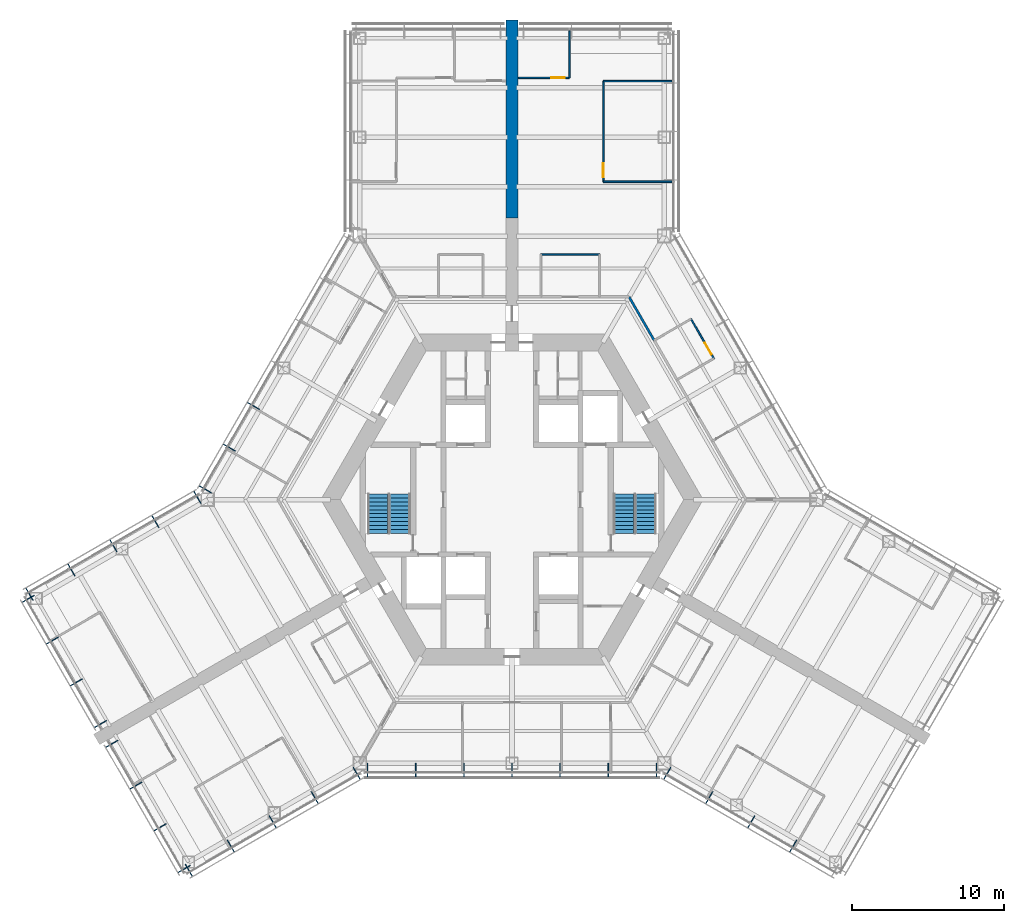
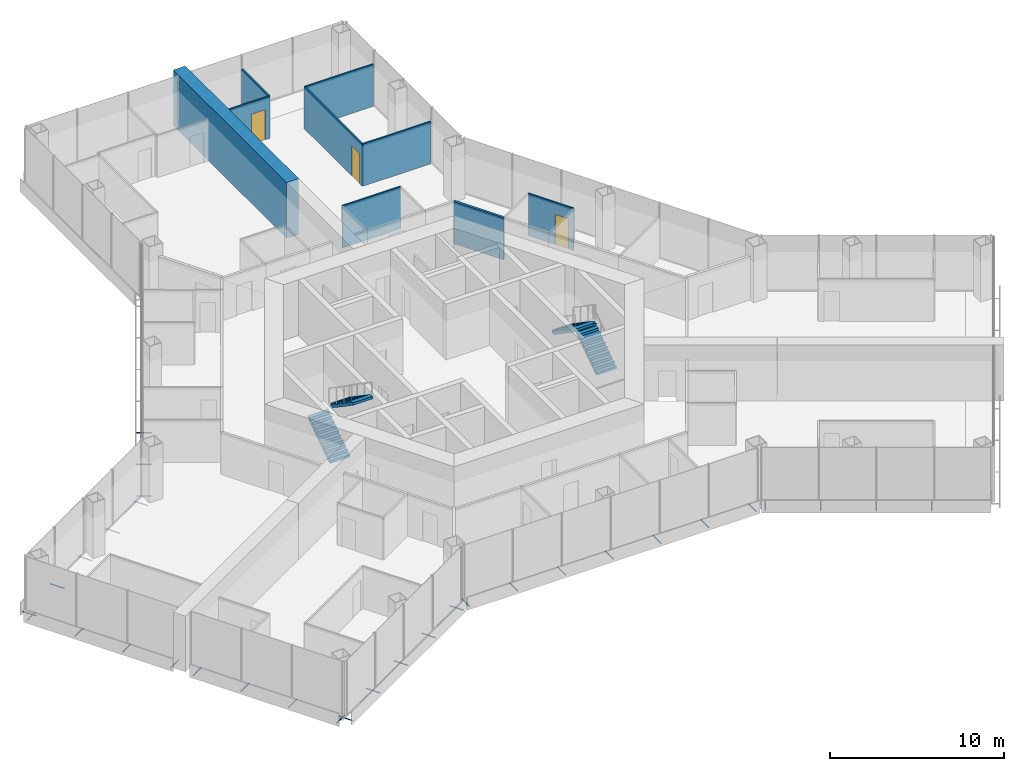
# One storey, part 16 of 19: 32 discrete accessories, 9 walls, 4 stair flights, 3 doors, 3 openings, 2 elements without a shape of their own.
"""IFC4 building model written with IfcOpenShell, lengths in metres."""

from ifc_helpers import new_model, si_unit, direction, frame, frame_2d, origin, origin_2d, place, context, subcontext, project, spatial, polyline, rectangle, hollow_circle, outline, extrude, material, layer, layer_set, material_profile, profile_set, type_object, element, fill, aggregate, save


model = new_model("IFC4")

# Units and contexts
model_context = context("Model", 3, precision=1e-05, world=origin(), true_north=direction((0.0, 1.0)))
body_context = subcontext(model_context, "Body", "Model", "MODEL_VIEW")
ifc_project = project(units=[si_unit("LENGTHUNIT", "METRE"), si_unit("AREAUNIT", "SQUARE_METRE"), si_unit("VOLUMEUNIT", "CUBIC_METRE"), si_unit("PLANEANGLEUNIT", "RADIAN"), si_unit("MASSUNIT", "GRAM", prefix="KILO")], contexts=[model_context])

# Site, building, storey
site_placement = place(None, origin())
site = spatial("IfcSite", under=ifc_project, at=site_placement, CompositionType="ELEMENT")
building_placement = place(site_placement, origin())
building = spatial("IfcBuilding", under=site, at=building_placement, Name="Kasaneha Research Tower", CompositionType="ELEMENT")
storey_placement = place(building_placement, frame((0.0, 0.0, 88.5)))
storey = spatial("IfcBuildingStorey", under=building, at=storey_placement, Name="L22", CompositionType="ELEMENT", Elevation=88.5)

# Wall
ifc_material_1 = material(Name="Gypsum board on steel studs, one layer each side", Category="steel")
ifc_layer_1 = layer(ifc_material_1, 0.10009765625)
ifc_layer_set_1 = layer_set([ifc_layer_1], Name="Office partition 100")
wall_type_1 = type_object("IfcWallType", Name="Office partition 100", PredefinedType="PARTITIONING", material=ifc_layer_set_1)
wall_1_placement = place(storey_placement, frame((1.89990234375, 16.125, 0.0), z_axis=(0.0, 0.0, 1.0), x_axis=(1.0, 0.0, 0.0)))
element("IfcWall", 1, at=wall_1_placement, inside=storey, type_object=wall_type_1, Name="Office partition FAE08 L22", PredefinedType="PARTITIONING", context=body_context, shape_type="SweptSolid", body=[
    extrude(rectangle(XDim=3.857177734375, YDim=0.10009765625, at=frame_2d((1.9287109375, 0.0))), origin(), (0.0, 0.0, 1.0), 2.949951171875),
])

# Wall, opening, door
wall_2_placement = place(storey_placement, frame((11.7646484375, 11.873046875, 0.0), z_axis=(0.0, 0.0, 1.0), x_axis=(0.499990139034, -0.866031096941, 0.0)))
wall_2 = element("IfcWall", 2, at=wall_2_placement, inside=storey, type_object=wall_type_1, Name="Office partition FAE12 L22", PredefinedType="PARTITIONING", context=body_context, shape_type="SweptSolid", body=[
    extrude(rectangle(XDim=3.0, YDim=0.10009765625, at=frame_2d((1.5, 0.0))), origin(), (0.0, 0.0, 1.0), 2.949951171875),
])
opening_1_placement = place(wall_2_placement, frame((1.800048828125, 0.0, 0.0)))
opening_1 = element("IfcOpeningElement", 3, at=opening_1_placement, cuts=wall_2, Name="Opening L22-D30", PredefinedType="OPENING", context=body_context, shape_type="SweptSolid", body=[
    extrude(rectangle(XDim=0.89990234375, YDim=2.10009765625, at=frame_2d((0.449951171875, 1.050048828125))), frame((0.0, 0.06005859375, 0.0), z_axis=(0.0, -1.0, 0.0), x_axis=(1.0, 0.0, 0.0)), (0.0, 0.0, 1.0), 0.1201171875),
])
ifc_material_2 = material(Name="Timber veneer", Category="wood")
door_type = type_object("IfcDoorType", Name="Office door 900x2100", OperationType="SINGLE_SWING_LEFT", PredefinedType="DOOR", material=ifc_material_2)
door_1_placement = place(opening_1_placement, origin())
door_1 = element("IfcDoor", 4, at=door_1_placement, inside=storey, type_object=door_type, Name="Pantry door L22-D30", OperationType="SINGLE_SWING_RIGHT", OverallHeight=2.10009765625, OverallWidth=0.89990234375, PredefinedType="DOOR", context=body_context, shape_type="SweptSolid", body=[
    extrude(rectangle(XDim=0.89990234375, YDim=2.10009765625, at=frame_2d((0.449951171875, 1.050048828125))), frame((0.0, 0.02490234375, 0.0), z_axis=(0.0, -1.0, 0.0), x_axis=(1.0, 0.0, 0.0)), (0.0, 0.0, 1.0), 0.050048828125),
])
fill(opening_1, door_1)

wall_3_placement = place(storey_placement, frame((6.0, 20.89111328125, 0.0), z_axis=(0.0, 0.0, 1.0), x_axis=(0.0, 1.0, 0.0)))
wall_3 = element("IfcWall", 5, at=wall_3_placement, inside=storey, type_object=wall_type_1, Name="Office partition FAE15 L22", PredefinedType="PARTITIONING", context=body_context, shape_type="SweptSolid", body=[
    extrude(rectangle(XDim=6.61962890625, YDim=0.10009765625, at=frame_2d((3.309814453125, 0.0))), origin(), (0.0, 0.0, 1.0), 2.949951171875),
])
opening_2_placement = place(wall_3_placement, frame((0.300048828125, 0.0, 0.0)))
opening_2 = element("IfcOpeningElement", 6, at=opening_2_placement, cuts=wall_3, Name="Opening L22-D32", PredefinedType="OPENING", context=body_context, shape_type="SweptSolid", body=[
    extrude(rectangle(XDim=0.89990234375, YDim=2.10009765625, at=frame_2d((0.449951171875, 1.050048828125))), frame((0.0, 0.06005859375, 0.0), z_axis=(0.0, -1.0, 0.0), x_axis=(1.0, 0.0, 0.0)), (0.0, 0.0, 1.0), 0.1201171875),
])
door_2_placement = place(opening_2_placement, origin())
door_2 = element("IfcDoor", 7, at=door_2_placement, inside=storey, type_object=door_type, Name="Meeting room door L22-D32", OperationType="SINGLE_SWING_LEFT", OverallHeight=2.10009765625, OverallWidth=0.89990234375, PredefinedType="DOOR", context=body_context, shape_type="SweptSolid", body=[
    extrude(rectangle(XDim=0.89990234375, YDim=2.10009765625, at=frame_2d((0.449951171875, 1.050048828125))), frame((0.0, 0.02490234375, 0.0), z_axis=(0.0, -1.0, 0.0), x_axis=(1.0, 0.0, 0.0)), (0.0, 0.0, 1.0), 0.050048828125),
])
fill(opening_2, door_2)

# Walls
for number, where, z_axis, x_axis, name in (
    (8, (6.0, 27.5107421875, 0.0), (0.0, 0.0, 1.0), (1.0, 0.0, 0.0), "Office partition FAE16 L22"),
    (9, (10.5, 20.89111328125, 0.0), (0.0, 0.0, 1.0), (-1.0, 0.0, 0.0), "Office partition FAE17 L22"),
):
    element("IfcWall", number, at=place(storey_placement, frame(where, z_axis=z_axis, x_axis=x_axis)), inside=storey, type_object=wall_type_1, Name=name, PredefinedType="PARTITIONING", context=body_context, shape_type="SweptSolid", body=[
        extrude(rectangle(XDim=4.5, YDim=0.10009765625, at=frame_2d((2.25, 0.0))), origin(), (0.0, 0.0, 1.0), 2.949951171875),
    ])

# Wall, opening, door
wall_4_placement = place(storey_placement, frame((3.7666015625, 27.720458984375, 0.0), z_axis=(0.0, 0.0, 1.0), x_axis=(-1.0, 0.0, 0.0)))
wall_4 = element("IfcWall", 10, at=wall_4_placement, inside=storey, type_object=wall_type_1, Name="Office partition FAE18 L22", PredefinedType="PARTITIONING", context=body_context, shape_type="SweptSolid", body=[
    extrude(rectangle(XDim=3.3466796875, YDim=0.10009765625, at=frame_2d((1.67333984375, 0.0))), origin(), (0.0, 0.0, 1.0), 2.949951171875),
])
opening_3_placement = place(wall_4_placement, frame((0.300048828125, 0.0, 0.0)))
opening_3 = element("IfcOpeningElement", 11, at=opening_3_placement, cuts=wall_4, Name="Opening L22-D33", PredefinedType="OPENING", context=body_context, shape_type="SweptSolid", body=[
    extrude(rectangle(XDim=0.89990234375, YDim=2.10009765625, at=frame_2d((0.449951171875, 1.050048828125))), frame((0.0, 0.06005859375, 0.0), z_axis=(0.0, -1.0, 0.0), x_axis=(1.0, 0.0, 0.0)), (0.0, 0.0, 1.0), 0.1201171875),
])
door_3_placement = place(opening_3_placement, origin())
door_3 = element("IfcDoor", 12, at=door_3_placement, inside=storey, type_object=door_type, Name="Workroom door L22-D33", OperationType="SINGLE_SWING_LEFT", OverallHeight=2.10009765625, OverallWidth=0.89990234375, PredefinedType="DOOR", context=body_context, shape_type="SweptSolid", body=[
    extrude(rectangle(XDim=0.89990234375, YDim=2.10009765625, at=frame_2d((0.449951171875, 1.050048828125))), frame((0.0, 0.02490234375, 0.0), z_axis=(0.0, -1.0, 0.0), x_axis=(1.0, 0.0, 0.0)), (0.0, 0.0, 1.0), 0.050048828125),
])
fill(opening_3, door_3)

# Walls
wall_5_placement = place(storey_placement, frame((3.7666015625, 30.800537109375, 0.0), z_axis=(0.0, 0.0, 1.0), x_axis=(0.0, -1.0, 0.0)))
element("IfcWall", 13, at=wall_5_placement, inside=storey, type_object=wall_type_1, Name="Office partition FAE19 L22", PredefinedType="PARTITIONING", context=body_context, shape_type="SweptSolid", body=[
    extrude(rectangle(XDim=3.080078125, YDim=0.10009765625, at=frame_2d((1.5400390625, 0.0))), origin(), (0.0, 0.0, 1.0), 2.949951171875),
])
ifc_material_3 = material(Name="Concrete Fc80", Category="concrete")
ifc_layer_2 = layer(ifc_material_3, 0.800048828125)
ifc_layer_set_2 = layer_set([ifc_layer_2], Name="Spine wall 800 Fc80")
wall_type_2 = type_object("IfcWallType", Name="Spine wall 800 Fc80", PredefinedType="SHEAR", material=ifc_layer_set_2)
wall_6_placement = place(storey_placement, frame((0.0, 18.5205078125, 0.0), z_axis=(0.0, 0.0, 1.0), x_axis=(0.0, 1.0, 0.0)))
element("IfcWall", 14, at=wall_6_placement, inside=storey, type_object=wall_type_2, Name="Spine wall A wing L22", PredefinedType="SHEAR", context=body_context, shape_type="SweptSolid", body=[
    extrude(rectangle(XDim=13.0, YDim=0.800048828125, at=frame_2d((6.5, 0.0))), origin(), (0.0, 0.0, 1.0), 3.89990234375),
])
ifc_material_4 = material(Name="Gypsum board on steel studs, two layers each side", Category="steel")
ifc_layer_3 = layer(ifc_material_4, 0.14990234375)
ifc_layer_set_3 = layer_set([ifc_layer_3], Name="Suite partition 150")
wall_type_3 = type_object("IfcWallType", Name="Suite partition 150", PredefinedType="PARTITIONING", material=ifc_layer_set_3)
wall_7_placement = place(storey_placement, frame((7.693115234375, 13.324951171875, 0.0), z_axis=(0.0, 0.0, 1.0), x_axis=(0.500008692254, -0.866020385251, 0.0)))
element("IfcWall", 15, at=wall_7_placement, inside=storey, type_object=wall_type_3, Name="Suite partition FAE06 L22", PredefinedType="PARTITIONING", context=body_context, shape_type="SweptSolid", body=[
    extrude(rectangle(XDim=3.2978515625, YDim=0.14990234375, at=frame_2d((1.64892578125, 0.0))), origin(), (0.0, 0.0, 1.0), 2.949951171875),
])

# Stair, stair flights
ifc_material_5 = material(Name="Concrete Fc24", Category="concrete")
stair_type = type_object("IfcStairType", Name="Half-turn stair 22 risers", PredefinedType="HALF_TURN_STAIR", material=ifc_material_5)
stair_1_placement = place(storey_placement, origin())
stair_1 = element("IfcStair", 16, at=stair_1_placement, inside=storey, type_object=stair_type, Name="Stair 1 L22", PredefinedType="HALF_TURN_STAIR")
ifc_material_6 = material(Name="Concrete Fc24", Category="concrete")
stair_flight_type = type_object("IfcStairFlightType", Name="Stair flight 11 risers 177.3", PredefinedType="STRAIGHT", material=ifc_material_6)
stair_flight_1_placement = place(storey_placement, frame((8.824951171875, -2.22509765625, 0.0), z_axis=(0.0, 0.0, 1.0), x_axis=(0.0, 1.0, 0.0)))
stair_flight_1 = element("IfcStairFlight", 17, at=stair_flight_1_placement, type_object=stair_flight_type, Name="ST1-22R flight 1", NumberOfRisers=11, NumberOfTreads=10, PredefinedType="STRAIGHT", RiserHeight=0.177272727, TreadLength=0.26, context=body_context, shape_type="SweptSolid", body=[
    extrude(outline(polyline([(0.0, 0.0), (0.0, 0.17724609375), (0.260009765625, 0.17724609375), (0.260009765625, 0.3544921875), (0.52001953125, 0.3544921875), (0.52001953125, 0.53173828125), (0.780029296875, 0.53173828125), (0.780029296875, 0.708984375), (1.0400390625, 0.708984375), (1.0400390625, 0.886474609375), (1.300048828125, 0.886474609375), (1.300048828125, 1.063720703125), (1.56005859375, 1.063720703125), (1.56005859375, 1.240966796875), (1.820068359375, 1.240966796875), (1.820068359375, 1.418212890625), (2.080078125, 1.418212890625), (2.080078125, 1.595458984375), (2.340087890625, 1.595458984375), (2.340087890625, 1.772705078125), (2.60009765625, 1.772705078125), (2.60009765625, 1.949951171875), (2.60009765625, 1.59130859375), (0.26611328125, 0.0), (0.0, 0.0)])), frame((0.0, 0.64990234375, 0.0), z_axis=(0.0, -1.0, 0.0), x_axis=(1.0, 0.0, 0.0)), (0.0, 0.0, 1.0), 1.300048828125),
])
stair_flight_2_placement = place(storey_placement, frame((7.324951171875, 0.375, 1.949951171875), z_axis=(0.0, 0.0, 1.0), x_axis=(0.0, -1.0, 0.0)))
stair_flight_2 = element("IfcStairFlight", 18, at=stair_flight_2_placement, type_object=stair_flight_type, Name="ST1-22R flight 2", NumberOfRisers=11, NumberOfTreads=10, PredefinedType="STRAIGHT", RiserHeight=0.177272727, TreadLength=0.26, context=body_context, shape_type="SweptSolid", body=[
    extrude(outline(polyline([(0.0, 0.0), (0.0, 0.17724609375), (0.260009765625, 0.17724609375), (0.260009765625, 0.3544921875), (0.52001953125, 0.3544921875), (0.52001953125, 0.53173828125), (0.780029296875, 0.53173828125), (0.780029296875, 0.708984375), (1.0400390625, 0.708984375), (1.0400390625, 0.886474609375), (1.300048828125, 0.886474609375), (1.300048828125, 1.063720703125), (1.56005859375, 1.063720703125), (1.56005859375, 1.240966796875), (1.820068359375, 1.240966796875), (1.820068359375, 1.418212890625), (2.080078125, 1.418212890625), (2.080078125, 1.595458984375), (2.340087890625, 1.595458984375), (2.340087890625, 1.772705078125), (2.60009765625, 1.772705078125), (2.60009765625, 1.949951171875), (2.60009765625, 1.59130859375), (0.26611328125, 0.0), (0.0, 0.0)])), frame((0.0, 0.64990234375, 0.0), z_axis=(0.0, -1.0, 0.0), x_axis=(1.0, 0.0, 0.0)), (0.0, 0.0, 1.0), 1.300048828125),
])
aggregate(stair_1, [stair_flight_1, stair_flight_2])

stair_2_placement = place(storey_placement, origin())
stair_2 = element("IfcStair", 19, at=stair_2_placement, inside=storey, type_object=stair_type, Name="Stair 2 L22", PredefinedType="HALF_TURN_STAIR")
stair_flight_3_placement = place(storey_placement, frame((-8.824951171875, -2.22509765625, 0.0), z_axis=(0.0, 0.0, 1.0), x_axis=(0.0, 1.0, 0.0)))
stair_flight_3 = element("IfcStairFlight", 20, at=stair_flight_3_placement, type_object=stair_flight_type, Name="ST2-22R flight 1", NumberOfRisers=11, NumberOfTreads=10, PredefinedType="STRAIGHT", RiserHeight=0.177272727, TreadLength=0.26, context=body_context, shape_type="SweptSolid", body=[
    extrude(outline(polyline([(0.0, 0.0), (0.0, 0.17724609375), (0.260009765625, 0.17724609375), (0.260009765625, 0.3544921875), (0.52001953125, 0.3544921875), (0.52001953125, 0.53173828125), (0.780029296875, 0.53173828125), (0.780029296875, 0.708984375), (1.0400390625, 0.708984375), (1.0400390625, 0.886474609375), (1.300048828125, 0.886474609375), (1.300048828125, 1.063720703125), (1.56005859375, 1.063720703125), (1.56005859375, 1.240966796875), (1.820068359375, 1.240966796875), (1.820068359375, 1.418212890625), (2.080078125, 1.418212890625), (2.080078125, 1.595458984375), (2.340087890625, 1.595458984375), (2.340087890625, 1.772705078125), (2.60009765625, 1.772705078125), (2.60009765625, 1.949951171875), (2.60009765625, 1.59130859375), (0.26611328125, 0.0), (0.0, 0.0)])), frame((0.0, 0.64990234375, 0.0), z_axis=(0.0, -1.0, 0.0), x_axis=(1.0, 0.0, 0.0)), (0.0, 0.0, 1.0), 1.300048828125),
])
stair_flight_4_placement = place(storey_placement, frame((-7.324951171875, 0.375, 1.949951171875), z_axis=(0.0, 0.0, 1.0), x_axis=(0.0, -1.0, 0.0)))
stair_flight_4 = element("IfcStairFlight", 21, at=stair_flight_4_placement, type_object=stair_flight_type, Name="ST2-22R flight 2", NumberOfRisers=11, NumberOfTreads=10, PredefinedType="STRAIGHT", RiserHeight=0.177272727, TreadLength=0.26, context=body_context, shape_type="SweptSolid", body=[
    extrude(outline(polyline([(0.0, 0.0), (0.0, 0.17724609375), (0.260009765625, 0.17724609375), (0.260009765625, 0.3544921875), (0.52001953125, 0.3544921875), (0.52001953125, 0.53173828125), (0.780029296875, 0.53173828125), (0.780029296875, 0.708984375), (1.0400390625, 0.708984375), (1.0400390625, 0.886474609375), (1.300048828125, 0.886474609375), (1.300048828125, 1.063720703125), (1.56005859375, 1.063720703125), (1.56005859375, 1.240966796875), (1.820068359375, 1.240966796875), (1.820068359375, 1.418212890625), (2.080078125, 1.418212890625), (2.080078125, 1.595458984375), (2.340087890625, 1.595458984375), (2.340087890625, 1.772705078125), (2.60009765625, 1.772705078125), (2.60009765625, 1.949951171875), (2.60009765625, 1.59130859375), (0.26611328125, 0.0), (0.0, 0.0)])), frame((0.0, 0.64990234375, 0.0), z_axis=(0.0, -1.0, 0.0), x_axis=(1.0, 0.0, 0.0)), (0.0, 0.0, 1.0), 1.300048828125),
])
aggregate(stair_2, [stair_flight_3, stair_flight_4])

# Discrete accessories
ifc_material_7 = material(Name="Steel STK400", Category="steel")
ifc_material_profile = material_profile(ifc_material_7, hollow_circle(Radius=0.0380859375, WallThickness=0.00390625, at=origin_2d()), Name="CHS-76.3x4.0")
ifc_profile_set = profile_set([ifc_material_profile], Name="Steel STK400")
discrete_accessory_type = type_object("IfcDiscreteAccessoryType", Name="Screen bracket CHS-76.3x4.0", PredefinedType="BRACKET", material=ifc_profile_set)
discrete_accessory_1_placement = place(storey_placement, frame((-21.474853515625, -23.945556640625, -0.300048828125), z_axis=(0.500021113727, -0.866013213425, 0.0), x_axis=(0.866013213425, 0.500021113727, 0.0)))
element("IfcDiscreteAccessory", 22, at=discrete_accessory_1_placement, inside=storey, type_object=discrete_accessory_type, Name="Screen bracket 1", PredefinedType="BRACKET", context=body_context, shape_type="SweptSolid", body=[
    extrude(hollow_circle(Radius=0.0380859375, WallThickness=0.00390625, at=origin_2d()), origin(), (0.0, 0.0, 1.0), 0.919921875),
])
discrete_accessory_2_placement = place(storey_placement, frame((-18.716796875, -22.35302734375, -0.300048828125), z_axis=(0.500105201737, -0.865964657013, 0.0), x_axis=(0.865964657013, 0.500105201737, 0.0)))
element("IfcDiscreteAccessory", 23, at=discrete_accessory_2_placement, inside=storey, type_object=discrete_accessory_type, Name="Screen bracket 2", PredefinedType="BRACKET", context=body_context, shape_type="SweptSolid", body=[
    extrude(hollow_circle(Radius=0.0380859375, WallThickness=0.00390625, at=origin_2d()), origin(), (0.0, 0.0, 1.0), 0.920166015625),
])
discrete_accessory_3_placement = place(storey_placement, frame((-15.95849609375, -20.7607421875, -0.300048828125), z_axis=(0.500021113727, -0.866013213425, 0.0), x_axis=(0.866013213425, 0.500021113727, 0.0)))
element("IfcDiscreteAccessory", 24, at=discrete_accessory_3_placement, inside=storey, type_object=discrete_accessory_type, Name="Screen bracket 3", PredefinedType="BRACKET", context=body_context, shape_type="SweptSolid", body=[
    extrude(hollow_circle(Radius=0.0380859375, WallThickness=0.00390625, at=origin_2d()), origin(), (0.0, 0.0, 1.0), 0.919921875),
])
discrete_accessory_4_placement = place(storey_placement, frame((-13.200439453125, -19.168212890625, -0.300048828125), z_axis=(0.499906209203, -0.866079547155, 0.0), x_axis=(0.866079547155, 0.499906209203, 0.0)))
element("IfcDiscreteAccessory", 25, at=discrete_accessory_4_placement, inside=storey, type_object=discrete_accessory_type, Name="Screen bracket 4", PredefinedType="BRACKET", context=body_context, shape_type="SweptSolid", body=[
    extrude(hollow_circle(Radius=0.0380859375, WallThickness=0.00390625, at=origin_2d()), origin(), (0.0, 0.0, 1.0), 0.920166015625),
])
for number, where, z_axis, x_axis, name in (
    (26, (-10.4423828125, -17.575927734375, -0.300048828125), (0.500021113727, -0.866013213425, 0.0), (0.866013213425, 0.500021113727, 0.0), "Screen bracket 5"),
    (27, (-9.4892578125, -17.320556640625, -0.300048828125), (0.0, -1.0, 0.0), (1.0, 0.0, 0.0), "Screen bracket 1"),
    (28, (-6.326171875, -17.320556640625, -0.300048828125), (0.0, -1.0, 0.0), (1.0, 0.0, 0.0), "Screen bracket 2"),
    (29, (-3.1630859375, -17.320556640625, -0.300048828125), (0.0, -1.0, 0.0), (1.0, 0.0, 0.0), "Screen bracket 3"),
    (30, (0.0, -17.320556640625, -0.300048828125), (0.0, -1.0, 0.0), (1.0, 0.0, 0.0), "Screen bracket 4"),
    (31, (3.1630859375, -17.320556640625, -0.300048828125), (0.0, -1.0, 0.0), (1.0, 0.0, 0.0), "Screen bracket 5"),
    (32, (6.326171875, -17.320556640625, -0.300048828125), (0.0, -1.0, 0.0), (1.0, 0.0, 0.0), "Screen bracket 6"),
    (33, (9.4892578125, -17.320556640625, -0.300048828125), (0.0, -1.0, 0.0), (1.0, 0.0, 0.0), "Screen bracket 7"),
    (34, (10.4423828125, -17.575927734375, -0.300048828125), (-0.500021113727, -0.866013213425, 0.0), (0.866013213425, -0.500021113727, 0.0), "Screen bracket 1"),
):
    element("IfcDiscreteAccessory", number, at=place(storey_placement, frame(where, z_axis=z_axis, x_axis=x_axis)), inside=storey, type_object=discrete_accessory_type, Name=name, PredefinedType="BRACKET", context=body_context, shape_type="SweptSolid", body=[
        extrude(hollow_circle(Radius=0.0380859375, WallThickness=0.00390625, at=origin_2d()), origin(), (0.0, 0.0, 1.0), 0.919921875),
    ])
discrete_accessory_5_placement = place(storey_placement, frame((13.200439453125, -19.168212890625, -0.300048828125), z_axis=(-0.499906209203, -0.866079547155, 0.0), x_axis=(0.866079547155, -0.499906209203, 0.0)))
element("IfcDiscreteAccessory", 35, at=discrete_accessory_5_placement, inside=storey, type_object=discrete_accessory_type, Name="Screen bracket 2", PredefinedType="BRACKET", context=body_context, shape_type="SweptSolid", body=[
    extrude(hollow_circle(Radius=0.0380859375, WallThickness=0.00390625, at=origin_2d()), origin(), (0.0, 0.0, 1.0), 0.920166015625),
])
discrete_accessory_6_placement = place(storey_placement, frame((15.95849609375, -20.7607421875, -0.300048828125), z_axis=(-0.500021113727, -0.866013213425, 0.0), x_axis=(0.866013213425, -0.500021113727, 0.0)))
element("IfcDiscreteAccessory", 36, at=discrete_accessory_6_placement, inside=storey, type_object=discrete_accessory_type, Name="Screen bracket 3", PredefinedType="BRACKET", context=body_context, shape_type="SweptSolid", body=[
    extrude(hollow_circle(Radius=0.0380859375, WallThickness=0.00390625, at=origin_2d()), origin(), (0.0, 0.0, 1.0), 0.919921875),
])
discrete_accessory_7_placement = place(storey_placement, frame((18.716796875, -22.35302734375, -0.300048828125), z_axis=(-0.500105201737, -0.865964657013, 0.0), x_axis=(0.865964657013, -0.500105201737, 0.0)))
element("IfcDiscreteAccessory", 37, at=discrete_accessory_7_placement, inside=storey, type_object=discrete_accessory_type, Name="Screen bracket 4", PredefinedType="BRACKET", context=body_context, shape_type="SweptSolid", body=[
    extrude(hollow_circle(Radius=0.0380859375, WallThickness=0.00390625, at=origin_2d()), origin(), (0.0, 0.0, 1.0), 0.920166015625),
])
for number, where, z_axis, x_axis, name in (
    (38, (-16.58154296875, 5.9208984375, -0.300048828125), (-0.866013213425, 0.500021113727, 0.0), (-0.500021113727, -0.866013213425, 0.0), "Screen bracket 5"),
    (39, (-18.1630859375, 3.181640625, -0.300048828125), (-0.866013213425, 0.500021113727, 0.0), (-0.500021113727, -0.866013213425, 0.0), "Screen bracket 6"),
    (40, (-19.74462890625, 0.4423828125, -0.300048828125), (-0.866013213425, 0.500021113727, 0.0), (-0.500021113727, -0.866013213425, 0.0), "Screen bracket 7"),
    (41, (-20.4423828125, -0.25537109375, -0.300048828125), (-0.500021113727, 0.866013213425, 0.0), (-0.866013213425, -0.500021113727, 0.0), "Screen bracket 1"),
):
    element("IfcDiscreteAccessory", number, at=place(storey_placement, frame(where, z_axis=z_axis, x_axis=x_axis)), inside=storey, type_object=discrete_accessory_type, Name=name, PredefinedType="BRACKET", context=body_context, shape_type="SweptSolid", body=[
        extrude(hollow_circle(Radius=0.0380859375, WallThickness=0.00390625, at=origin_2d()), origin(), (0.0, 0.0, 1.0), 0.919921875),
    ])
discrete_accessory_8_placement = place(storey_placement, frame((-23.200439453125, -1.847900390625, -0.300048828125), z_axis=(-0.499906209203, 0.866079547155, 0.0), x_axis=(-0.866079547155, -0.499906209203, 0.0)))
element("IfcDiscreteAccessory", 42, at=discrete_accessory_8_placement, inside=storey, type_object=discrete_accessory_type, Name="Screen bracket 2", PredefinedType="BRACKET", context=body_context, shape_type="SweptSolid", body=[
    extrude(hollow_circle(Radius=0.0380859375, WallThickness=0.00390625, at=origin_2d()), origin(), (0.0, 0.0, 1.0), 0.920166015625),
])
discrete_accessory_9_placement = place(storey_placement, frame((-25.95849609375, -3.440185546875, -0.300048828125), z_axis=(-0.500220121494, 0.865898279276, 0.0), x_axis=(-0.865898279276, -0.500220121494, 0.0)))
element("IfcDiscreteAccessory", 43, at=discrete_accessory_9_placement, inside=storey, type_object=discrete_accessory_type, Name="Screen bracket 3", PredefinedType="BRACKET", context=body_context, shape_type="SweptSolid", body=[
    extrude(hollow_circle(Radius=0.0380859375, WallThickness=0.00390625, at=origin_2d()), origin(), (0.0, 0.0, 1.0), 0.919921875),
])
discrete_accessory_10_placement = place(storey_placement, frame((-28.716796875, -5.03271484375, -0.300048828125), z_axis=(-0.499906209203, 0.866079547155, 0.0), x_axis=(-0.866079547155, -0.499906209203, 0.0)))
element("IfcDiscreteAccessory", 44, at=discrete_accessory_10_placement, inside=storey, type_object=discrete_accessory_type, Name="Screen bracket 4", PredefinedType="BRACKET", context=body_context, shape_type="SweptSolid", body=[
    extrude(hollow_circle(Radius=0.0380859375, WallThickness=0.00390625, at=origin_2d()), origin(), (0.0, 0.0, 1.0), 0.920166015625),
])
discrete_accessory_11_placement = place(storey_placement, frame((-31.474853515625, -6.625, -0.300048828125), z_axis=(-0.500021113727, 0.866013213425, 0.0), x_axis=(-0.866013213425, -0.500021113727, 0.0)))
element("IfcDiscreteAccessory", 45, at=discrete_accessory_11_placement, inside=storey, type_object=discrete_accessory_type, Name="Screen bracket 5", PredefinedType="BRACKET", context=body_context, shape_type="SweptSolid", body=[
    extrude(hollow_circle(Radius=0.0380859375, WallThickness=0.00390625, at=origin_2d()), origin(), (0.0, 0.0, 1.0), 0.919921875),
])
discrete_accessory_12_placement = place(storey_placement, frame((-31.38330078125, -6.283447265625, -0.300048828125), z_axis=(-0.866079547155, -0.499906209203, 0.0), x_axis=(0.499906209203, -0.866079547155, 0.0)))
element("IfcDiscreteAccessory", 46, at=discrete_accessory_12_placement, inside=storey, type_object=discrete_accessory_type, Name="Screen bracket 1", PredefinedType="BRACKET", context=body_context, shape_type="SweptSolid", body=[
    extrude(hollow_circle(Radius=0.0380859375, WallThickness=0.00390625, at=origin_2d()), origin(), (0.0, 0.0, 1.0), 0.920166015625),
])
discrete_accessory_13_placement = place(storey_placement, frame((-29.800048828125, -9.02587890625, -0.300048828125), z_axis=(-0.866013213425, -0.500021113727, 0.0), x_axis=(0.500021113727, -0.866013213425, 0.0)))
element("IfcDiscreteAccessory", 47, at=discrete_accessory_13_placement, inside=storey, type_object=discrete_accessory_type, Name="Screen bracket 2", PredefinedType="BRACKET", context=body_context, shape_type="SweptSolid", body=[
    extrude(hollow_circle(Radius=0.0380859375, WallThickness=0.00390625, at=origin_2d()), origin(), (0.0, 0.0, 1.0), 0.919921875),
])
for number, where, z_axis, x_axis, name in (
    (48, (-28.216552734375, -11.768310546875, -0.300048828125), (-0.866079547155, -0.499906209203, 0.0), (0.499906209203, -0.866079547155, 0.0), "Screen bracket 3"),
    (49, (-26.63330078125, -14.5107421875, -0.300048828125), (-0.866079547155, -0.499906209203, 0.0), (0.499906209203, -0.866079547155, 0.0), "Screen bracket 4"),
    (50, (-25.88330078125, -15.809814453125, -0.300048828125), (-0.866079547155, -0.499906209203, 0.0), (0.499906209203, -0.866079547155, 0.0), "Screen bracket 1"),
):
    element("IfcDiscreteAccessory", number, at=place(storey_placement, frame(where, z_axis=z_axis, x_axis=x_axis)), inside=storey, type_object=discrete_accessory_type, Name=name, PredefinedType="BRACKET", context=body_context, shape_type="SweptSolid", body=[
        extrude(hollow_circle(Radius=0.0380859375, WallThickness=0.00390625, at=origin_2d()), origin(), (0.0, 0.0, 1.0), 0.920166015625),
    ])
discrete_accessory_14_placement = place(storey_placement, frame((-24.300048828125, -18.55224609375, -0.300048828125), z_axis=(-0.866013213425, -0.500021113727, 0.0), x_axis=(0.500021113727, -0.866013213425, 0.0)))
element("IfcDiscreteAccessory", 51, at=discrete_accessory_14_placement, inside=storey, type_object=discrete_accessory_type, Name="Screen bracket 2", PredefinedType="BRACKET", context=body_context, shape_type="SweptSolid", body=[
    extrude(hollow_circle(Radius=0.0380859375, WallThickness=0.00390625, at=origin_2d()), origin(), (0.0, 0.0, 1.0), 0.919921875),
])
for number, where, z_axis, x_axis, name in (
    (52, (-22.716552734375, -21.294677734375, -0.300048828125), (-0.866079547155, -0.499906209203, 0.0), (0.499906209203, -0.866079547155, 0.0), "Screen bracket 3"),
    (53, (-21.13330078125, -24.037109375, -0.300048828125), (-0.866079547155, -0.499906209203, 0.0), (0.499906209203, -0.866079547155, 0.0), "Screen bracket 4"),
):
    element("IfcDiscreteAccessory", number, at=place(storey_placement, frame(where, z_axis=z_axis, x_axis=x_axis)), inside=storey, type_object=discrete_accessory_type, Name=name, PredefinedType="BRACKET", context=body_context, shape_type="SweptSolid", body=[
        extrude(hollow_circle(Radius=0.0380859375, WallThickness=0.00390625, at=origin_2d()), origin(), (0.0, 0.0, 1.0), 0.920166015625),
    ])

save(model, "model.ifc")
